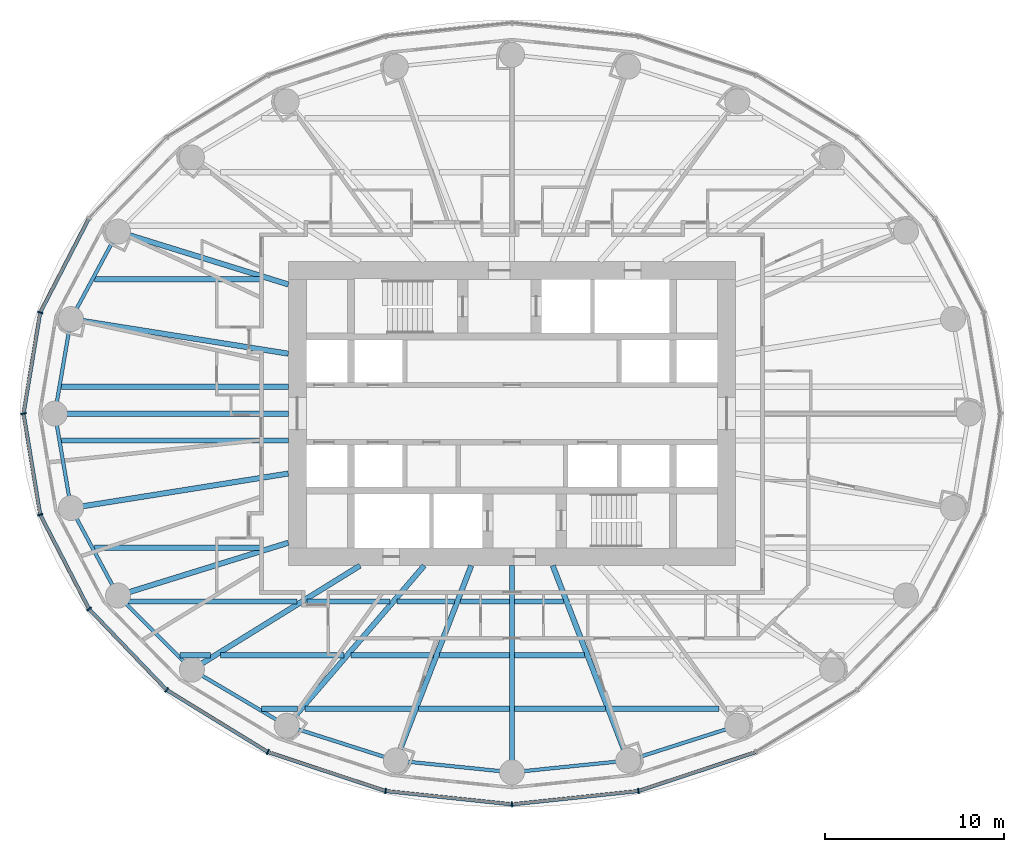
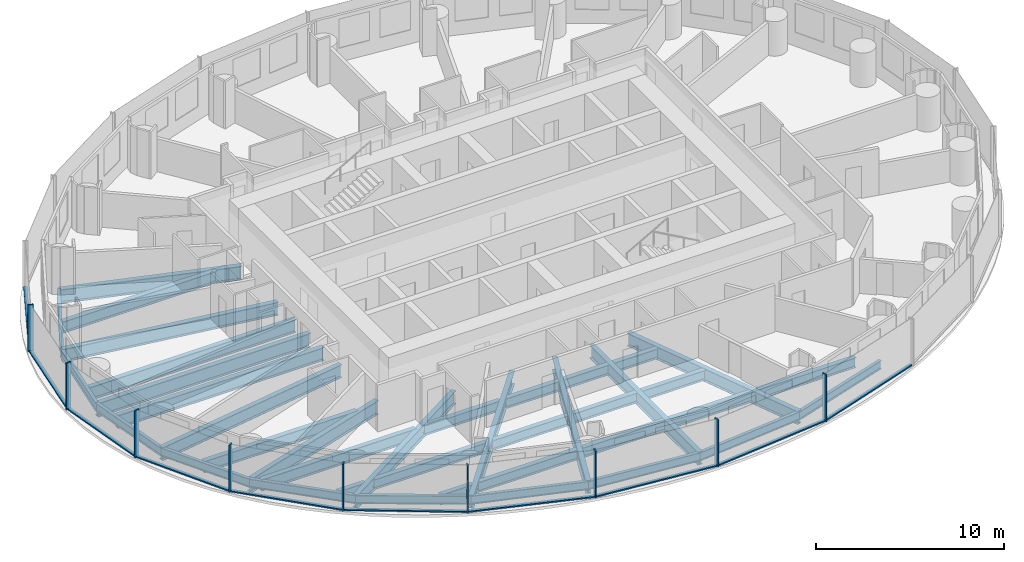
# One storey, part 2 of 14: 39 beams, 19 members, 3 elements without a shape of their own.
"""IFC4 building model written with IfcOpenShell, lengths in metres."""

from ifc_helpers import new_model, si_unit, direction, frame, origin, origin_2d, place, context, subcontext, project, spatial, rectangle, i_section, extrude, material, material_profile, profile_set, type_object, element, aggregate, save


model = new_model("IFC4")

# Units and contexts
model_context = context("Model", 3, precision=1e-05, world=origin(), true_north=direction((0.0, 1.0)))
body_context = subcontext(model_context, "Body", "Model", "MODEL_VIEW")
ifc_project = project(units=[si_unit("LENGTHUNIT", "METRE"), si_unit("AREAUNIT", "SQUARE_METRE"), si_unit("VOLUMEUNIT", "CUBIC_METRE"), si_unit("PLANEANGLEUNIT", "RADIAN"), si_unit("MASSUNIT", "GRAM", prefix="KILO")], contexts=[model_context])

# Site, building, storey
site_placement = place(None, origin())
site = spatial("IfcSite", under=ifc_project, at=site_placement, CompositionType="ELEMENT")
building_placement = place(site_placement, origin())
building = spatial("IfcBuilding", under=site, at=building_placement, Name="Hankou Lantern Tower", CompositionType="ELEMENT")
storey_placement = place(building_placement, frame((0.0, 0.0, 90.300048828125)))
storey = spatial("IfcBuildingStorey", under=building, at=storey_placement, Name="L23", CompositionType="ELEMENT", Elevation=90.300048828125)

# Beams
ifc_material_1 = material(Name="Steel Q355B", Category="steel")
ifc_material_profile_1 = material_profile(ifc_material_1, i_section(OverallWidth=0.199951171875, OverallDepth=0.550048828125, WebThickness=0.010009765625, FlangeThickness=0.01611328125, FilletRadius=0.012939453125, at=origin_2d()), Name="HN550x200x10x16")
ifc_profile_set_1 = profile_set([ifc_material_profile_1], Name="Steel Q355B")
beam_type_1 = type_object("IfcBeamType", Name="EB6 RING BEAM HN550x200x10x16", PredefinedType="SPANDREL", material=ifc_profile_set_1)
beam_1_placement = place(storey_placement, frame((-22.01904296875, 10.170166015625, -0.455078125), z_axis=(-0.473609096023, -0.880735161194, 0.0), x_axis=(0.880735161194, -0.473609096023, 0.0)))
element("IfcBeam", 1, at=beam_1_placement, inside=storey, type_object=beam_type_1, Name="Ring beam R11-R12 L23", PredefinedType="SPANDREL", context=body_context, shape_type="SweptSolid", body=[
    extrude(i_section(OverallWidth=0.199951171875, OverallDepth=0.550048828125, WebThickness=0.010009765625, FlangeThickness=0.01611328125, FilletRadius=0.012939453125, at=origin_2d()), origin(), (0.0, 0.0, 1.0), 5.548828125),
])
for number, where, z_axis, x_axis, name in (
    (2, (-24.64697265625, 5.283203125, -0.455078125), (-0.168489691988, -0.985703415685, 0.0), (0.985703415685, -0.168489691988, 0.0), "Ring beam R12-R13 L23"),
    (3, (-25.550048828125, 0.0, -0.455078125), (0.168489691988, -0.985703415685, 0.0), (0.985703415685, 0.168489691988, 0.0), "Ring beam R13-R14 L23"),
):
    element("IfcBeam", number, at=place(storey_placement, frame(where, z_axis=z_axis, x_axis=x_axis)), inside=storey, type_object=beam_type_1, Name=name, PredefinedType="SPANDREL", context=body_context, shape_type="SweptSolid", body=[
        extrude(i_section(OverallWidth=0.199951171875, OverallDepth=0.550048828125, WebThickness=0.010009765625, FlangeThickness=0.01611328125, FilletRadius=0.012939453125, at=origin_2d()), origin(), (0.0, 0.0, 1.0), 5.35986328125),
    ])
beam_2_placement = place(storey_placement, frame((-24.64697265625, -5.283203125, -0.455078125), z_axis=(0.473609096023, -0.880735161194, 0.0), x_axis=(0.880735161194, 0.473609096023, 0.0)))
element("IfcBeam", 4, at=beam_2_placement, inside=storey, type_object=beam_type_1, Name="Ring beam R14-R15 L23", PredefinedType="SPANDREL", context=body_context, shape_type="SweptSolid", body=[
    extrude(i_section(OverallWidth=0.199951171875, OverallDepth=0.550048828125, WebThickness=0.010009765625, FlangeThickness=0.01611328125, FilletRadius=0.012939453125, at=origin_2d()), origin(), (0.0, 0.0, 1.0), 5.548828125),
])
beam_3_placement = place(storey_placement, frame((-22.01904296875, -10.170166015625, -0.455078125), z_axis=(0.705727798394, -0.708483079949, 0.0), x_axis=(0.708483079949, 0.705727798394, 0.0)))
element("IfcBeam", 5, at=beam_3_placement, inside=storey, type_object=beam_type_1, Name="Ring beam R15-R16 L23", PredefinedType="SPANDREL", context=body_context, shape_type="SweptSolid", body=[
    extrude(i_section(OverallWidth=0.199951171875, OverallDepth=0.550048828125, WebThickness=0.010009765625, FlangeThickness=0.01611328125, FilletRadius=0.012939453125, at=origin_2d()), origin(), (0.0, 0.0, 1.0), 5.84814453125),
])
beam_4_placement = place(storey_placement, frame((-17.891845703125, -14.3134765625, -0.455078125), z_axis=(0.860881533543, -0.508805449268, 0.0), x_axis=(0.508805449268, 0.860881533543, 0.0)))
element("IfcBeam", 6, at=beam_4_placement, inside=storey, type_object=beam_type_1, Name="Ring beam R16-R17 L23", PredefinedType="SPANDREL", context=body_context, shape_type="SweptSolid", body=[
    extrude(i_section(OverallWidth=0.199951171875, OverallDepth=0.550048828125, WebThickness=0.010009765625, FlangeThickness=0.01611328125, FilletRadius=0.012939453125, at=origin_2d()), origin(), (0.0, 0.0, 1.0), 6.15771484375),
])
beam_5_placement = place(storey_placement, frame((-12.5908203125, -17.446533203125, -0.455078125), z_axis=(0.952690479428, -0.303942182671, 0.0), x_axis=(0.303942182671, 0.952690479428, 0.0)))
element("IfcBeam", 7, at=beam_5_placement, inside=storey, type_object=beam_type_1, Name="Ring beam R17-R18 L23", PredefinedType="SPANDREL", context=body_context, shape_type="SweptSolid", body=[
    extrude(i_section(OverallWidth=0.199951171875, OverallDepth=0.550048828125, WebThickness=0.010009765625, FlangeThickness=0.01611328125, FilletRadius=0.012939453125, at=origin_2d()), origin(), (0.0, 0.0, 1.0), 6.398681640625),
])
for number, where, z_axis, x_axis, name in (
    (8, (-6.494873046875, -19.391357421875, -0.455078125), (0.994896616842, -0.100899562915, 0.0), (0.100899562915, 0.994896616842, 0.0), "Ring beam R18-R19 L23"),
    (9, (0.0, -20.050048828125, -0.455078125), (0.994896616842, 0.100899562915, 0.0), (-0.100899562915, 0.994896616842, 0.0), "Ring beam R19-R20 L23"),
):
    element("IfcBeam", number, at=place(storey_placement, frame(where, z_axis=z_axis, x_axis=x_axis)), inside=storey, type_object=beam_type_1, Name=name, PredefinedType="SPANDREL", context=body_context, shape_type="SweptSolid", body=[
        extrude(i_section(OverallWidth=0.199951171875, OverallDepth=0.550048828125, WebThickness=0.010009765625, FlangeThickness=0.01611328125, FilletRadius=0.012939453125, at=origin_2d()), origin(), (0.0, 0.0, 1.0), 6.528076171875),
    ])
beam_6_placement = place(storey_placement, frame((6.494873046875, -19.391357421875, -0.455078125), z_axis=(0.952690479428, 0.303942182671, 0.0), x_axis=(-0.303942182671, 0.952690479428, 0.0)))
element("IfcBeam", 10, at=beam_6_placement, inside=storey, type_object=beam_type_1, Name="Ring beam R20-R21 L23", PredefinedType="SPANDREL", context=body_context, shape_type="SweptSolid", body=[
    extrude(i_section(OverallWidth=0.199951171875, OverallDepth=0.550048828125, WebThickness=0.010009765625, FlangeThickness=0.01611328125, FilletRadius=0.012939453125, at=origin_2d()), origin(), (0.0, 0.0, 1.0), 6.398681640625),
])

# Curtain wall, member
ifc_material_2 = material(Name="Glass, dark grey tinted laminated", Category="glass")
curtain_wall_type = type_object("IfcCurtainWallType", Name="CWA OUTER SKIN LOW-RISE", PredefinedType="USERDEFINED", material=ifc_material_2)
curtain_wall_1_placement = place(storey_placement, origin())
curtain_wall_1 = element("IfcCurtainWall", 11, at=curtain_wall_1_placement, inside=storey, type_object=curtain_wall_type, Name="CWA L23 OS2", ObjectType="OUTER SKIN LOW-RISE", PredefinedType="USERDEFINED")
ifc_material_3 = material(Name="Aluminium, black anodised", Category="aluminium")
ifc_material_profile_2 = material_profile(ifc_material_3, rectangle(XDim=0.080078125, YDim=0.300048828125, at=origin_2d()), Name="MU1 80X300")
ifc_profile_set_2 = profile_set([ifc_material_profile_2], Name="Aluminium, black anodised")
member_type_1 = type_object("IfcMemberType", Name="MU1 OUTER SKIN MULLION 80X300", PredefinedType="MULLION", material=ifc_profile_set_2)
member_1_placement = place(storey_placement, frame((-26.369873046875, 5.652587890625, 0.0), z_axis=(0.0, 0.0, 1.0), x_axis=(-0.317595577365, -0.94822626479, 0.0)))
member_1 = element("IfcMember", 12, at=member_1_placement, type_object=member_type_1, Name="CWA mullion 6", PredefinedType="MULLION", context=body_context, shape_type="SweptSolid", body=[
    extrude(rectangle(XDim=0.080078125, YDim=0.300048828125, at=origin_2d()), origin(), (0.0, 0.0, 1.0), 3.050048828125),
])

# Curtain wall, members
curtain_wall_2_placement = place(storey_placement, origin())
curtain_wall_2 = element("IfcCurtainWall", 13, at=curtain_wall_2_placement, inside=storey, type_object=curtain_wall_type, Name="CWA L23 OS3", ObjectType="OUTER SKIN LOW-RISE", PredefinedType="USERDEFINED")
member_2_placement = place(storey_placement, frame((-27.300048828125, 0.0, 0.0), z_axis=(0.0, 0.0, 1.0), x_axis=(0.162381515188, -0.986728049427, 0.0)))
member_2 = element("IfcMember", 14, at=member_2_placement, type_object=member_type_1, Name="CWA mullion 1", PredefinedType="MULLION", context=body_context, shape_type="SweptSolid", body=[
    extrude(rectangle(XDim=0.080078125, YDim=0.300048828125, at=origin_2d()), origin(), (0.0, 0.0, 1.0), 3.050048828125),
])
member_3_placement = place(storey_placement, frame((-26.369873046875, -5.652587890625, 0.0), z_axis=(0.0, 0.0, 1.0), x_axis=(0.317595577365, -0.94822626479, 0.0)))
member_3 = element("IfcMember", 15, at=member_3_placement, type_object=member_type_1, Name="CWA mullion 2", PredefinedType="MULLION", context=body_context, shape_type="SweptSolid", body=[
    extrude(rectangle(XDim=0.080078125, YDim=0.300048828125, at=origin_2d()), origin(), (0.0, 0.0, 1.0), 3.050048828125),
])
member_4_placement = place(storey_placement, frame((-23.642578125, -10.919921875, 0.0), z_axis=(0.0, 0.0, 1.0), x_axis=(0.585205735974, -0.810884854084, 0.0)))
member_4 = element("IfcMember", 16, at=member_4_placement, type_object=member_type_1, Name="CWA mullion 3", PredefinedType="MULLION", context=body_context, shape_type="SweptSolid", body=[
    extrude(rectangle(XDim=0.080078125, YDim=0.300048828125, at=origin_2d()), origin(), (0.0, 0.0, 1.0), 3.050048828125),
])
member_5_placement = place(storey_placement, frame((-19.303955078125, -15.443115234375, 0.0), z_axis=(0.0, 0.0, 1.0), x_axis=(0.780868809444, -0.624695047553, 0.0)))
member_5 = element("IfcMember", 17, at=member_5_placement, type_object=member_type_1, Name="CWA mullion 4", PredefinedType="MULLION", context=body_context, shape_type="SweptSolid", body=[
    extrude(rectangle(XDim=0.080078125, YDim=0.300048828125, at=origin_2d()), origin(), (0.0, 0.0, 1.0), 3.050048828125),
])
member_6_placement = place(storey_placement, frame((-13.64990234375, -18.9140625, 0.0), z_axis=(0.0, 0.0, 1.0), x_axis=(0.907841299004, -0.419313934686, 0.0)))
member_6 = element("IfcMember", 18, at=member_6_placement, type_object=member_type_1, Name="CWA mullion 5", PredefinedType="MULLION", context=body_context, shape_type="SweptSolid", body=[
    extrude(rectangle(XDim=0.080078125, YDim=0.300048828125, at=origin_2d()), origin(), (0.0, 0.0, 1.0), 3.050048828125),
])
member_7_placement = place(storey_placement, frame((-7.065673828125, -21.095703125, 0.0), z_axis=(0.0, 0.0, 1.0), x_axis=(0.977787659625, -0.209597931016, 0.0)))
member_7 = element("IfcMember", 19, at=member_7_placement, type_object=member_type_1, Name="CWA mullion 6", PredefinedType="MULLION", context=body_context, shape_type="SweptSolid", body=[
    extrude(rectangle(XDim=0.080078125, YDim=0.300048828125, at=origin_2d()), origin(), (0.0, 0.0, 1.0), 3.050048828125),
])

curtain_wall_3_placement = place(storey_placement, origin())
curtain_wall_3 = element("IfcCurtainWall", 20, at=curtain_wall_3_placement, inside=storey, type_object=curtain_wall_type, Name="CWA L23 OS4", ObjectType="OUTER SKIN LOW-RISE", PredefinedType="USERDEFINED")
member_8_placement = place(storey_placement, frame((0.0, -21.840087890625, 0.0), z_axis=(0.0, 0.0, 1.0), x_axis=(0.994499359107, 0.104742659579, 0.0)))
member_8 = element("IfcMember", 21, at=member_8_placement, type_object=member_type_1, Name="CWA mullion 1", PredefinedType="MULLION", context=body_context, shape_type="SweptSolid", body=[
    extrude(rectangle(XDim=0.080078125, YDim=0.300048828125, at=origin_2d()), origin(), (0.0, 0.0, 1.0), 3.050048828125),
])
member_9_placement = place(storey_placement, frame((7.065673828125, -21.095703125, 0.0), z_axis=(0.0, 0.0, 1.0), x_axis=(0.977787659625, 0.209597931016, 0.0)))
member_9 = element("IfcMember", 22, at=member_9_placement, type_object=member_type_1, Name="CWA mullion 2", PredefinedType="MULLION", context=body_context, shape_type="SweptSolid", body=[
    extrude(rectangle(XDim=0.080078125, YDim=0.300048828125, at=origin_2d()), origin(), (0.0, 0.0, 1.0), 3.050048828125),
])

# Beams
ifc_material_4 = material(Name="Steel Q355B", Category="steel")
ifc_material_profile_3 = material_profile(ifc_material_4, i_section(OverallWidth=0.300048828125, OverallDepth=0.85009765625, WebThickness=0.01611328125, FlangeThickness=0.027099609375, FilletRadius=0.01806640625, at=origin_2d()), Name="HN850x300x16x27")
ifc_profile_set_3 = profile_set([ifc_material_profile_3], Name="Steel Q355B")
beam_type_2 = type_object("IfcBeamType", Name="RB12 RADIAL BEAM HN850x300x16x27", PredefinedType="BEAM", material=ifc_profile_set_3)
for number, where, z_axis, x_axis, name in (
    (23, (-12.5, 3.349365234375, -0.60498046875), (-0.987563081343, 0.157223281893, 0.0), (-0.157223281893, -0.987563081343, 0.0), "Radial beam R12 L23"),
    (24, (-12.5, -3.349365234375, -0.60498046875), (-0.987563081343, -0.157223281893, 0.0), (0.157223281893, -0.987563081343, 0.0), "Radial beam R14 L23"),
):
    element("IfcBeam", number, at=place(storey_placement, frame(where, z_axis=z_axis, x_axis=x_axis)), inside=storey, type_object=beam_type_2, Name=name, PredefinedType="BEAM", context=body_context, shape_type="SweptSolid", body=[
        extrude(i_section(OverallWidth=0.300048828125, OverallDepth=0.85009765625, WebThickness=0.01611328125, FlangeThickness=0.027099609375, FilletRadius=0.01806640625, at=origin_2d()), origin(), (0.0, 0.0, 1.0), 12.300048828125),
    ])
beam_7_placement = place(storey_placement, frame((-8.5, -8.5, -0.60498046875), z_axis=(-0.850286343288, -0.526320372414, 0.0), x_axis=(0.526320372414, -0.850286343288, 0.0)))
element("IfcBeam", 25, at=beam_7_placement, inside=storey, type_object=beam_type_2, Name="Radial beam R16 L23", PredefinedType="BEAM", context=body_context, shape_type="SweptSolid", body=[
    extrude(i_section(OverallWidth=0.300048828125, OverallDepth=0.85009765625, WebThickness=0.01611328125, FlangeThickness=0.027099609375, FilletRadius=0.01806640625, at=origin_2d()), origin(), (0.0, 0.0, 1.0), 11.04541015625),
])
beam_8_placement = place(storey_placement, frame((-4.907470703125, -8.5, -0.60498046875), z_axis=(-0.651519061225, -0.758632264579, 0.0), x_axis=(0.758632264579, -0.651519061225, 0.0)))
element("IfcBeam", 26, at=beam_8_placement, inside=storey, type_object=beam_type_2, Name="Radial beam R17 L23", PredefinedType="BEAM", context=body_context, shape_type="SweptSolid", body=[
    extrude(i_section(OverallWidth=0.300048828125, OverallDepth=0.85009765625, WebThickness=0.01611328125, FlangeThickness=0.027099609375, FilletRadius=0.01806640625, at=origin_2d()), origin(), (0.0, 0.0, 1.0), 11.79296875),
])
beam_9_placement = place(storey_placement, frame((-2.277587890625, -8.5, -0.60498046875), z_axis=(-0.361089103374, -0.932531318201, 0.0), x_axis=(0.932531318201, -0.361089103374, 0.0)))
element("IfcBeam", 27, at=beam_9_placement, inside=storey, type_object=beam_type_2, Name="Radial beam R18 L23", PredefinedType="BEAM", context=body_context, shape_type="SweptSolid", body=[
    extrude(i_section(OverallWidth=0.300048828125, OverallDepth=0.85009765625, WebThickness=0.01611328125, FlangeThickness=0.027099609375, FilletRadius=0.01806640625, at=origin_2d()), origin(), (0.0, 0.0, 1.0), 11.679443359375),
])
beam_10_placement = place(storey_placement, frame((0.0, -8.5, -0.60498046875), z_axis=(0.0, -1.0, 0.0), x_axis=(1.0, 0.0, 0.0)))
element("IfcBeam", 28, at=beam_10_placement, inside=storey, type_object=beam_type_2, Name="Radial beam R19 L23", PredefinedType="BEAM", context=body_context, shape_type="SweptSolid", body=[
    extrude(i_section(OverallWidth=0.300048828125, OverallDepth=0.85009765625, WebThickness=0.01611328125, FlangeThickness=0.027099609375, FilletRadius=0.01806640625, at=origin_2d()), origin(), (0.0, 0.0, 1.0), 11.550048828125),
])
beam_11_placement = place(storey_placement, frame((2.277587890625, -8.5, -0.60498046875), z_axis=(0.361089103374, -0.932531318201, 0.0), x_axis=(0.932531318201, 0.361089103374, 0.0)))
element("IfcBeam", 29, at=beam_11_placement, inside=storey, type_object=beam_type_2, Name="Radial beam R20 L23", PredefinedType="BEAM", context=body_context, shape_type="SweptSolid", body=[
    extrude(i_section(OverallWidth=0.300048828125, OverallDepth=0.85009765625, WebThickness=0.01611328125, FlangeThickness=0.027099609375, FilletRadius=0.01806640625, at=origin_2d()), origin(), (0.0, 0.0, 1.0), 11.679443359375),
])
ifc_material_5 = material(Name="Steel Q355B", Category="steel")
ifc_material_profile_4 = material_profile(ifc_material_5, i_section(OverallWidth=0.300048828125, OverallDepth=0.89990234375, WebThickness=0.01611328125, FlangeThickness=0.028076171875, FilletRadius=0.01806640625, at=origin_2d()), Name="HN900x300x16x28")
ifc_profile_set_4 = profile_set([ifc_material_profile_4], Name="Steel Q355B")
beam_type_3 = type_object("IfcBeamType", Name="RB13 RADIAL BEAM HN900x300x16x28", PredefinedType="BEAM", material=ifc_profile_set_4)
beam_12_placement = place(storey_placement, frame((-12.5, 7.216796875, -0.630126953125), z_axis=(-0.955087327755, 0.29632447817, 0.0), x_axis=(-0.29632447817, -0.955087327755, 0.0)))
element("IfcBeam", 30, at=beam_12_placement, inside=storey, type_object=beam_type_3, Name="Radial beam R11 L23", PredefinedType="BEAM", context=body_context, shape_type="SweptSolid", body=[
    extrude(i_section(OverallWidth=0.300048828125, OverallDepth=0.89990234375, WebThickness=0.01611328125, FlangeThickness=0.028076171875, FilletRadius=0.01806640625, at=origin_2d()), origin(), (0.0, 0.0, 1.0), 9.966552734375),
])
beam_13_placement = place(storey_placement, frame((-12.5, 0.0, -0.630126953125), z_axis=(-1.0, 0.0, 0.0), x_axis=(0.0, -1.0, 0.0)))
element("IfcBeam", 31, at=beam_13_placement, inside=storey, type_object=beam_type_3, Name="Radial beam R13 L23", PredefinedType="BEAM", context=body_context, shape_type="SweptSolid", body=[
    extrude(i_section(OverallWidth=0.300048828125, OverallDepth=0.89990234375, WebThickness=0.01611328125, FlangeThickness=0.028076171875, FilletRadius=0.01806640625, at=origin_2d()), origin(), (0.0, 0.0, 1.0), 13.050048828125),
])
beam_14_placement = place(storey_placement, frame((-12.5, -7.216796875, -0.630126953125), z_axis=(-0.955087327755, -0.29632447817, 0.0), x_axis=(0.29632447817, -0.955087327755, 0.0)))
element("IfcBeam", 32, at=beam_14_placement, inside=storey, type_object=beam_type_3, Name="Radial beam R15 L23", PredefinedType="BEAM", context=body_context, shape_type="SweptSolid", body=[
    extrude(i_section(OverallWidth=0.300048828125, OverallDepth=0.89990234375, WebThickness=0.01611328125, FlangeThickness=0.028076171875, FilletRadius=0.01806640625, at=origin_2d()), origin(), (0.0, 0.0, 1.0), 9.966552734375),
])
ifc_material_6 = material(Name="Steel Q355B", Category="steel")
ifc_material_profile_5 = material_profile(ifc_material_6, i_section(OverallWidth=0.300048828125, OverallDepth=0.75, WebThickness=0.012939453125, FlangeThickness=0.02392578125, FilletRadius=0.01806640625, at=origin_2d()), Name="HN750x300x13x24")
ifc_profile_set_5 = profile_set([ifc_material_profile_5], Name="Steel Q355B")
beam_type_4 = type_object("IfcBeamType", Name="SB10 SECONDARY BEAM HN750x300x13x24", PredefinedType="JOIST", material=ifc_profile_set_5)
beam_15_placement = place(storey_placement, frame((-21.54931640625, -10.5, -0.554931640625), z_axis=(1.0, 0.0, 0.0), x_axis=(0.0, 1.0, 0.0)))
element("IfcBeam", 33, at=beam_15_placement, inside=storey, type_object=beam_type_4, Name="Floor joist J015 L23", PredefinedType="JOIST", context=body_context, shape_type="SweptSolid", body=[
    extrude(i_section(OverallWidth=0.300048828125, OverallDepth=0.75, WebThickness=0.012939453125, FlangeThickness=0.02392578125, FilletRadius=0.01806640625, at=origin_2d()), origin(), (0.0, 0.0, 1.0), 9.533203125),
])
for number, where, z_axis, x_axis, name in (
    (34, (-23.341552734375, -7.5, -0.554931640625), (1.0, 0.0, 0.0), (0.0, 1.0, 0.0), "Floor joist J023 L23"),
    (35, (-23.341552734375, 7.5, -0.554931640625), (1.0, 0.0, 0.0), (0.0, 1.0, 0.0), "Floor joist J037 L23"),
):
    element("IfcBeam", number, at=place(storey_placement, frame(where, z_axis=z_axis, x_axis=x_axis)), inside=storey, type_object=beam_type_4, Name=name, PredefinedType="JOIST", context=body_context, shape_type="SweptSolid", body=[
        extrude(i_section(OverallWidth=0.300048828125, OverallDepth=0.75, WebThickness=0.012939453125, FlangeThickness=0.02392578125, FilletRadius=0.01806640625, at=origin_2d()), origin(), (0.0, 0.0, 1.0), 9.4228515625),
    ])
ifc_material_7 = material(Name="Steel Q355B", Category="steel")
ifc_material_profile_6 = material_profile(ifc_material_7, i_section(OverallWidth=0.300048828125, OverallDepth=0.85009765625, WebThickness=0.01611328125, FlangeThickness=0.027099609375, FilletRadius=0.01806640625, at=origin_2d()), Name="HN850x300x16x27")
ifc_profile_set_6 = profile_set([ifc_material_profile_6], Name="Steel Q355B")
beam_type_5 = type_object("IfcBeamType", Name="SB12 SECONDARY BEAM HN850x300x16x27", PredefinedType="JOIST", material=ifc_profile_set_6)
for number, where, z_axis, x_axis, name in (
    (36, (-25.192138671875, -1.5, -0.60498046875), (1.0, 0.0, 0.0), (0.0, 1.0, 0.0), "Floor joist J029 L23"),
    (37, (-25.192138671875, 1.5, -0.60498046875), (1.0, 0.0, 0.0), (0.0, 1.0, 0.0), "Floor joist J031 L23"),
):
    element("IfcBeam", number, at=place(storey_placement, frame(where, z_axis=z_axis, x_axis=x_axis)), inside=storey, type_object=beam_type_5, Name=name, PredefinedType="JOIST", context=body_context, shape_type="SweptSolid", body=[
        extrude(i_section(OverallWidth=0.300048828125, OverallDepth=0.85009765625, WebThickness=0.01611328125, FlangeThickness=0.027099609375, FilletRadius=0.01806640625, at=origin_2d()), origin(), (0.0, 0.0, 1.0), 12.692138671875),
    ])
ifc_material_8 = material(Name="Steel Q355B", Category="steel")
ifc_material_profile_7 = material_profile(ifc_material_8, i_section(OverallWidth=0.300048828125, OverallDepth=0.64990234375, WebThickness=0.010986328125, FlangeThickness=0.01708984375, FilletRadius=0.01806640625, at=origin_2d()), Name="HN650x300x11x17")
ifc_profile_set_7 = profile_set([ifc_material_profile_7], Name="Steel Q355B")
beam_type_6 = type_object("IfcBeamType", Name="SB8 SECONDARY BEAM HN650x300x11x17", PredefinedType="JOIST", material=ifc_profile_set_7)
beam_16_placement = place(storey_placement, frame((-13.99560546875, -16.5, -0.505126953125), z_axis=(1.0, 0.0, 0.0), x_axis=(0.0, 1.0, 0.0)))
element("IfcBeam", 38, at=beam_16_placement, inside=storey, type_object=beam_type_6, Name="Floor joist J001 L23", PredefinedType="JOIST", context=body_context, shape_type="SweptSolid", body=[
    extrude(i_section(OverallWidth=0.300048828125, OverallDepth=0.64990234375, WebThickness=0.010986328125, FlangeThickness=0.01708984375, FilletRadius=0.01806640625, at=origin_2d()), origin(), (0.0, 0.0, 1.0), 2.019775390625),
])
beam_17_placement = place(storey_placement, frame((-11.580322265625, -16.5, -0.505126953125), z_axis=(1.0, 0.0, 0.0), x_axis=(0.0, 1.0, 0.0)))
element("IfcBeam", 39, at=beam_17_placement, inside=storey, type_object=beam_type_6, Name="Floor joist J002 L23", PredefinedType="JOIST", context=body_context, shape_type="SweptSolid", body=[
    extrude(i_section(OverallWidth=0.300048828125, OverallDepth=0.64990234375, WebThickness=0.010986328125, FlangeThickness=0.01708984375, FilletRadius=0.01806640625, at=origin_2d()), origin(), (0.0, 0.0, 1.0), 6.044189453125),
])
for number, where, z_axis, x_axis, name in (
    (40, (-5.21435546875, -16.5, -0.505126953125), (1.0, 0.0, 0.0), (0.0, 1.0, 0.0), "Floor joist J003 L23"),
    (41, (0.14990234375, -16.5, -0.505126953125), (1.0, 0.0, 0.0), (0.0, 1.0, 0.0), "Floor joist J004 L23"),
):
    element("IfcBeam", number, at=place(storey_placement, frame(where, z_axis=z_axis, x_axis=x_axis)), inside=storey, type_object=beam_type_6, Name=name, PredefinedType="JOIST", context=body_context, shape_type="SweptSolid", body=[
        extrude(i_section(OverallWidth=0.300048828125, OverallDepth=0.64990234375, WebThickness=0.010986328125, FlangeThickness=0.01708984375, FilletRadius=0.01806640625, at=origin_2d()), origin(), (0.0, 0.0, 1.0), 5.064453125),
    ])
beam_18_placement = place(storey_placement, frame((5.5361328125, -16.5, -0.505126953125), z_axis=(1.0, 0.0, 0.0), x_axis=(0.0, 1.0, 0.0)))
element("IfcBeam", 42, at=beam_18_placement, inside=storey, type_object=beam_type_6, Name="Floor joist J005 L23", PredefinedType="JOIST", context=body_context, shape_type="SweptSolid", body=[
    extrude(i_section(OverallWidth=0.300048828125, OverallDepth=0.64990234375, WebThickness=0.010986328125, FlangeThickness=0.01708984375, FilletRadius=0.01806640625, at=origin_2d()), origin(), (0.0, 0.0, 1.0), 6.044189453125),
])
beam_19_placement = place(storey_placement, frame((-18.560791015625, -13.5, -0.505126953125), z_axis=(1.0, 0.0, 0.0), x_axis=(0.0, 1.0, 0.0)))
element("IfcBeam", 43, at=beam_19_placement, inside=storey, type_object=beam_type_6, Name="Floor joist J007 L23", PredefinedType="JOIST", context=body_context, shape_type="SweptSolid", body=[
    extrude(i_section(OverallWidth=0.300048828125, OverallDepth=0.64990234375, WebThickness=0.010986328125, FlangeThickness=0.01708984375, FilletRadius=0.01806640625, at=origin_2d()), origin(), (0.0, 0.0, 1.0), 1.697998046875),
])
beam_20_placement = place(storey_placement, frame((-16.292724609375, -13.5, -0.505126953125), z_axis=(1.0, 0.0, 0.0), x_axis=(0.0, 1.0, 0.0)))
element("IfcBeam", 44, at=beam_20_placement, inside=storey, type_object=beam_type_6, Name="Floor joist J008 L23", PredefinedType="JOIST", context=body_context, shape_type="SweptSolid", body=[
    extrude(i_section(OverallWidth=0.300048828125, OverallDepth=0.64990234375, WebThickness=0.010986328125, FlangeThickness=0.01708984375, FilletRadius=0.01806640625, at=origin_2d()), origin(), (0.0, 0.0, 1.0), 6.893310546875),
])
beam_21_placement = place(storey_placement, frame((-9.00390625, -13.5, -0.505126953125), z_axis=(1.0, 0.0, 0.0), x_axis=(0.0, 1.0, 0.0)))
element("IfcBeam", 45, at=beam_21_placement, inside=storey, type_object=beam_type_6, Name="Floor joist J009 L23", PredefinedType="JOIST", context=body_context, shape_type="SweptSolid", body=[
    extrude(i_section(OverallWidth=0.300048828125, OverallDepth=0.64990234375, WebThickness=0.010986328125, FlangeThickness=0.01708984375, FilletRadius=0.01806640625, at=origin_2d()), origin(), (0.0, 0.0, 1.0), 4.62939453125),
])
for number, where, z_axis, x_axis, name in (
    (46, (-4.052734375, -13.5, -0.505126953125), (1.0, 0.0, 0.0), (0.0, 1.0, 0.0), "Floor joist J010 L23"),
    (47, (0.14990234375, -13.5, -0.505126953125), (1.0, 0.0, 0.0), (0.0, 1.0, 0.0), "Floor joist J011 L23"),
):
    element("IfcBeam", number, at=place(storey_placement, frame(where, z_axis=z_axis, x_axis=x_axis)), inside=storey, type_object=beam_type_6, Name=name, PredefinedType="JOIST", context=body_context, shape_type="SweptSolid", body=[
        extrude(i_section(OverallWidth=0.300048828125, OverallDepth=0.64990234375, WebThickness=0.010986328125, FlangeThickness=0.01708984375, FilletRadius=0.01806640625, at=origin_2d()), origin(), (0.0, 0.0, 1.0), 3.90283203125),
    ])
beam_22_placement = place(storey_placement, frame((-11.446044921875, -10.5, -0.505126953125), z_axis=(1.0, 0.0, 0.0), x_axis=(0.0, 1.0, 0.0)))
element("IfcBeam", 48, at=beam_22_placement, inside=storey, type_object=beam_type_6, Name="Floor joist J016 L23", PredefinedType="JOIST", context=body_context, shape_type="SweptSolid", body=[
    extrude(i_section(OverallWidth=0.300048828125, OverallDepth=0.64990234375, WebThickness=0.010986328125, FlangeThickness=0.01708984375, FilletRadius=0.01806640625, at=origin_2d()), origin(), (0.0, 0.0, 1.0), 4.623291015625),
])
beam_23_placement = place(storey_placement, frame((-6.427490234375, -10.5, -0.505126953125), z_axis=(1.0, 0.0, 0.0), x_axis=(0.0, 1.0, 0.0)))
element("IfcBeam", 49, at=beam_23_placement, inside=storey, type_object=beam_type_6, Name="Floor joist J017 L23", PredefinedType="JOIST", context=body_context, shape_type="SweptSolid", body=[
    extrude(i_section(OverallWidth=0.300048828125, OverallDepth=0.64990234375, WebThickness=0.010986328125, FlangeThickness=0.01708984375, FilletRadius=0.01806640625, at=origin_2d()), origin(), (0.0, 0.0, 1.0), 3.214599609375),
])
for number, where, z_axis, x_axis, name in (
    (50, (-2.89111328125, -10.5, -0.505126953125), (1.0, 0.0, 0.0), (0.0, 1.0, 0.0), "Floor joist J018 L23"),
    (51, (0.14990234375, -10.5, -0.505126953125), (1.0, 0.0, 0.0), (0.0, 1.0, 0.0), "Floor joist J019 L23"),
):
    element("IfcBeam", number, at=place(storey_placement, frame(where, z_axis=z_axis, x_axis=x_axis)), inside=storey, type_object=beam_type_6, Name=name, PredefinedType="JOIST", context=body_context, shape_type="SweptSolid", body=[
        extrude(i_section(OverallWidth=0.300048828125, OverallDepth=0.64990234375, WebThickness=0.010986328125, FlangeThickness=0.01708984375, FilletRadius=0.01806640625, at=origin_2d()), origin(), (0.0, 0.0, 1.0), 2.7412109375),
    ])

# Member
ifc_material_9 = material(Name="Aluminium, black anodised", Category="aluminium")
ifc_material_profile_8 = material_profile(ifc_material_9, rectangle(XDim=0.199951171875, YDim=0.080078125, at=origin_2d()), Name="TR1 200X80")
ifc_profile_set_8 = profile_set([ifc_material_profile_8], Name="Aluminium, black anodised")
member_type_2 = type_object("IfcMemberType", Name="TR1 OUTER SKIN TRANSOM 200X80", PredefinedType="USERDEFINED", material=ifc_profile_set_8)
member_10_placement = place(storey_placement, frame((-23.660888671875, 10.884521484375, 0.0400390625), z_axis=(-0.459786096495, -0.888029698529, 0.0), x_axis=(0.888029698529, -0.459786096495, 0.0)))
member_10 = element("IfcMember", 52, at=member_10_placement, type_object=member_type_2, Name="CWA transom 5", ObjectType="TRANSOM", PredefinedType="USERDEFINED", context=body_context, shape_type="SweptSolid", body=[
    extrude(rectangle(XDim=0.199951171875, YDim=0.080078125, at=origin_2d()), origin(), (0.0, 0.0, 1.0), 5.8515625),
])

member_11_placement = place(storey_placement, frame((-26.376220703125, 5.613037109375, 0.0400390625), z_axis=(-0.162387045529, -0.986727139307, 0.0), x_axis=(0.986727139307, -0.162387045529, 0.0)))
member_11 = element("IfcMember", 53, at=member_11_placement, type_object=member_type_2, Name="CWA transom 6", ObjectType="TRANSOM", PredefinedType="USERDEFINED", context=body_context, shape_type="SweptSolid", body=[
    extrude(rectangle(XDim=0.199951171875, YDim=0.080078125, at=origin_2d()), origin(), (0.0, 0.0, 1.0), 5.6484375),
])

aggregate(curtain_wall_1, [member_1, member_10, member_11])

member_12_placement = place(storey_placement, frame((-27.29345703125, -0.03955078125, 0.0400390625), z_axis=(0.162387045529, -0.986727139307, 0.0), x_axis=(0.986727139307, 0.162387045529, 0.0)))
member_12 = element("IfcMember", 54, at=member_12_placement, type_object=member_type_2, Name="CWA transom 1", ObjectType="TRANSOM", PredefinedType="USERDEFINED", context=body_context, shape_type="SweptSolid", body=[
    extrude(rectangle(XDim=0.199951171875, YDim=0.080078125, at=origin_2d()), origin(), (0.0, 0.0, 1.0), 5.6484375),
])

member_13_placement = place(storey_placement, frame((-26.351318359375, -5.688232421875, 0.0400390625), z_axis=(0.459786096495, -0.888029698529, 0.0), x_axis=(0.888029698529, 0.459786096495, 0.0)))
member_13 = element("IfcMember", 55, at=member_13_placement, type_object=member_type_2, Name="CWA transom 2", ObjectType="TRANSOM", PredefinedType="USERDEFINED", context=body_context, shape_type="SweptSolid", body=[
    extrude(rectangle(XDim=0.199951171875, YDim=0.080078125, at=origin_2d()), origin(), (0.0, 0.0, 1.0), 5.8515625),
])

member_14_placement = place(storey_placement, frame((-23.61474609375, -10.948974609375, 0.0400390625), z_axis=(0.692215537374, -0.721690827029, 0.0), x_axis=(0.721690827029, 0.692215537374, 0.0)))
member_14 = element("IfcMember", 56, at=member_14_placement, type_object=member_type_2, Name="CWA transom 3", ObjectType="TRANSOM", PredefinedType="USERDEFINED", context=body_context, shape_type="SweptSolid", body=[
    extrude(rectangle(XDim=0.199951171875, YDim=0.080078125, at=origin_2d()), origin(), (0.0, 0.0, 1.0), 6.187255859375),
])

member_15_placement = place(storey_placement, frame((-19.27001953125, -15.464111328125, 0.0400390625), z_axis=(0.85223969557, -0.523151508929, 0.0), x_axis=(0.523151508929, 0.85223969557, 0.0)))
member_15 = element("IfcMember", 57, at=member_15_placement, type_object=member_type_2, Name="CWA transom 4", ObjectType="TRANSOM", PredefinedType="USERDEFINED", context=body_context, shape_type="SweptSolid", body=[
    extrude(rectangle(XDim=0.199951171875, YDim=0.080078125, at=origin_2d()), origin(), (0.0, 0.0, 1.0), 6.554443359375),
])

member_16_placement = place(storey_placement, frame((-13.612060546875, -18.926513671875, 0.0400390625), z_axis=(0.949237318771, -0.314560825044, 0.0), x_axis=(0.314560825044, 0.949237318771, 0.0)))
member_16 = element("IfcMember", 58, at=member_16_placement, type_object=member_type_2, Name="CWA transom 5", ObjectType="TRANSOM", PredefinedType="USERDEFINED", context=body_context, shape_type="SweptSolid", body=[
    extrude(rectangle(XDim=0.199951171875, YDim=0.080078125, at=origin_2d()), origin(), (0.0, 0.0, 1.0), 6.8564453125),
])

member_17_placement = place(storey_placement, frame((-7.02587890625, -21.10009765625, 0.0400390625), z_axis=(0.994502215033, -0.104715539888, 0.0), x_axis=(0.104715539888, 0.994502215033, 0.0)))
member_17 = element("IfcMember", 59, at=member_17_placement, type_object=member_type_2, Name="CWA transom 6", ObjectType="TRANSOM", PredefinedType="USERDEFINED", context=body_context, shape_type="SweptSolid", body=[
    extrude(rectangle(XDim=0.199951171875, YDim=0.080078125, at=origin_2d()), origin(), (0.0, 0.0, 1.0), 7.024658203125),
])

aggregate(curtain_wall_2, [member_2, member_3, member_4, member_5, member_6, member_7, member_12, member_13, member_14, member_15, member_16, member_17])

member_18_placement = place(storey_placement, frame((0.039794921875, -21.835693359375, 0.0400390625), z_axis=(0.994502215033, 0.104715539888, 0.0), x_axis=(-0.104715539888, 0.994502215033, 0.0)))
member_18 = element("IfcMember", 60, at=member_18_placement, type_object=member_type_2, Name="CWA transom 1", ObjectType="TRANSOM", PredefinedType="USERDEFINED", context=body_context, shape_type="SweptSolid", body=[
    extrude(rectangle(XDim=0.199951171875, YDim=0.080078125, at=origin_2d()), origin(), (0.0, 0.0, 1.0), 7.024658203125),
])

member_19_placement = place(storey_placement, frame((7.103759765625, -21.083251953125, 0.0400390625), z_axis=(0.949237318771, 0.314560825044, 0.0), x_axis=(-0.314560825044, 0.949237318771, 0.0)))
member_19 = element("IfcMember", 61, at=member_19_placement, type_object=member_type_2, Name="CWA transom 2", ObjectType="TRANSOM", PredefinedType="USERDEFINED", context=body_context, shape_type="SweptSolid", body=[
    extrude(rectangle(XDim=0.199951171875, YDim=0.080078125, at=origin_2d()), origin(), (0.0, 0.0, 1.0), 6.8564453125),
])

aggregate(curtain_wall_3, [member_8, member_9, member_18, member_19])

save(model, "model.ifc")
